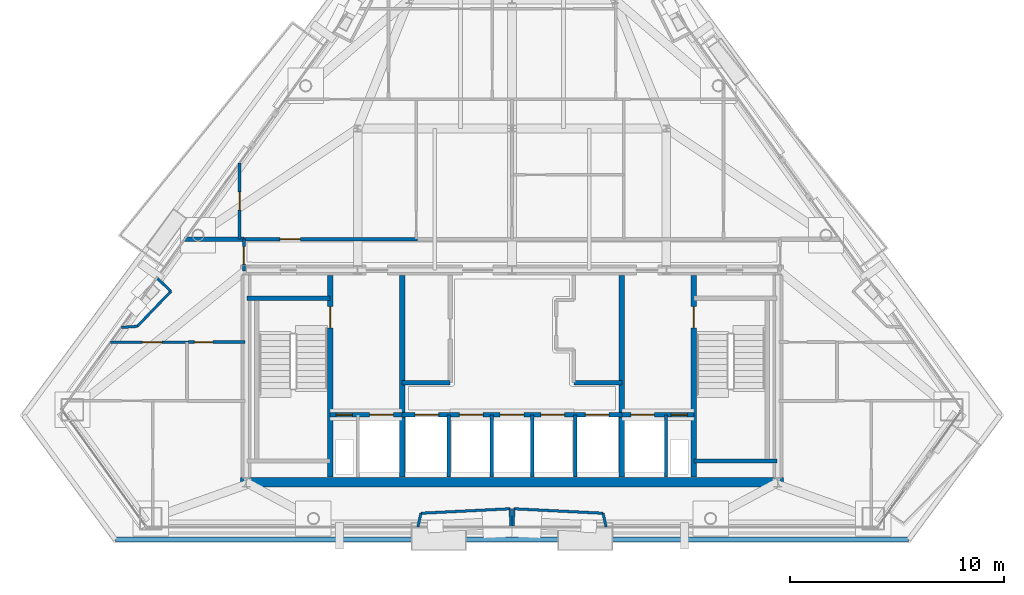
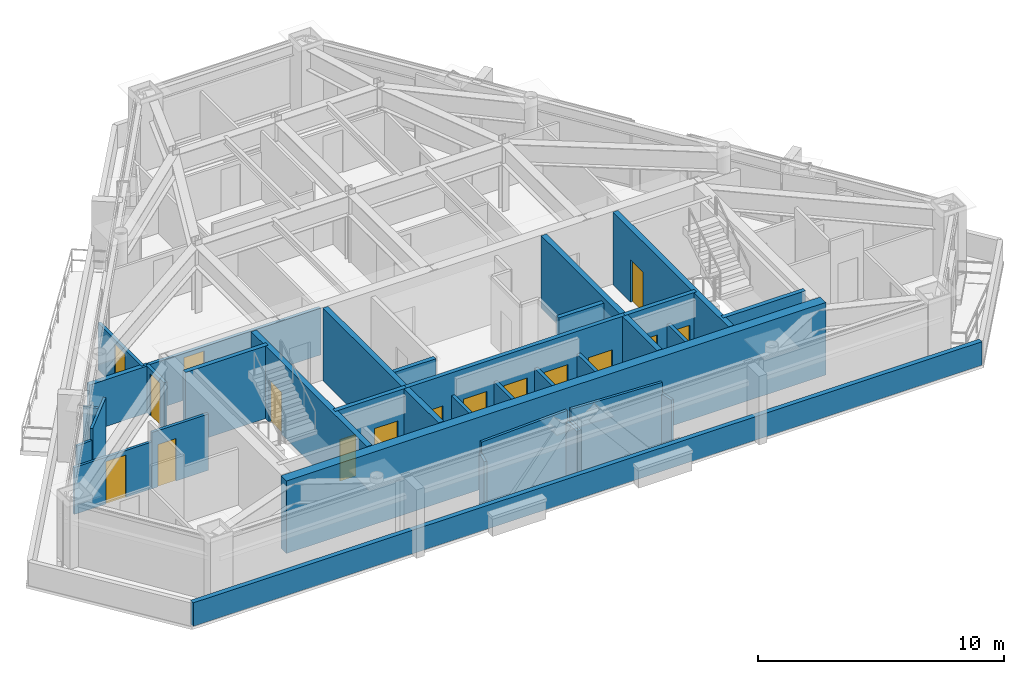
# One storey, part 7 of 11: 33 walls, 16 doors, 16 openings.
"""IFC4 building model written with IfcOpenShell, lengths in metres."""

from ifc_helpers import new_model, si_unit, direction, frame, frame_2d, origin, place, context, subcontext, project, spatial, rectangle, extrude, material, layer, layer_set, type_object, element, fill, save


model = new_model("IFC4")

# Units and contexts
model_context = context("Model", 3, precision=1e-05, world=origin(), true_north=direction((0.0, 1.0)))
body_context = subcontext(model_context, "Body", "Model", "MODEL_VIEW")
ifc_project = project(units=[si_unit("LENGTHUNIT", "METRE"), si_unit("AREAUNIT", "SQUARE_METRE"), si_unit("VOLUMEUNIT", "CUBIC_METRE"), si_unit("PLANEANGLEUNIT", "RADIAN"), si_unit("MASSUNIT", "GRAM", prefix="KILO")], contexts=[model_context])

# Site, building, storey
site_placement = place(None, origin())
site = spatial("IfcSite", under=ifc_project, at=site_placement, CompositionType="ELEMENT")
building_placement = place(site_placement, origin())
building = spatial("IfcBuilding", under=site, at=building_placement, Name="Talgorran Terracotta Tower", CompositionType="ELEMENT")
storey_placement = place(building_placement, frame((0.0, 0.0, 185.699951171875)))
storey = spatial("IfcBuildingStorey", under=building, at=storey_placement, Name="L48", CompositionType="ELEMENT", Elevation=185.699951171875)

# Walls
ifc_material_1 = material(Name="Concrete C50/60", Category="concrete")
ifc_layer_1 = layer(ifc_material_1, 0.199951171875, Name="WT_CORE_200")
ifc_layer_set_1 = layer_set([ifc_layer_1], Name="Concrete C50/60")
wall_type_1 = type_object("IfcWallType", Name="WT_CORE_200", PredefinedType="SOLIDWALL", material=ifc_layer_set_1)
for number, where, z_axis, x_axis, name in (
    (1, (-12.35009765625, -5.52001953125, 0.0), (0.0, 0.0, 1.0), (1.0, 0.0, 0.0), "WL-L48-CW-ST1-N"),
    (2, (8.47998046875, -13.10009765625, 0.0), (0.0, 0.0, 1.0), (1.0, 0.0, 0.0), "WL-L48-CW-ST2-S"),
):
    element("IfcWall", number, at=place(storey_placement, frame(where, z_axis=z_axis, x_axis=x_axis)), inside=storey, type_object=wall_type_1, Name=name, PredefinedType="SOLIDWALL", context=body_context, shape_type="SweptSolid", body=[
        extrude(rectangle(XDim=3.8701171875, YDim=0.199951171875, at=frame_2d((1.93505859375, 0.0))), origin(), (0.0, 0.0, 1.0), 3.60009765625),
    ])

# Wall, openings, doors
wall_1_placement = place(storey_placement, frame((-8.47998046875, -10.949951171875, 0.0), z_axis=(0.0, 0.0, 1.0), x_axis=(1.0, 0.0, 0.0)))
wall_1 = element("IfcWall", 3, at=wall_1_placement, inside=storey, type_object=wall_type_1, Name="WL-L48-CW-H-SBW", PredefinedType="SOLIDWALL", context=body_context, shape_type="SweptSolid", body=[
    extrude(rectangle(XDim=3.35986328125, YDim=0.199951171875, at=frame_2d((1.679931640625, 0.0))), origin(), (0.0, 0.0, 1.0), 3.60009765625),
])
opening_1_placement = place(wall_1_placement, frame((0.280029296875, 0.0, 0.0)))
opening_1 = element("IfcOpeningElement", 4, at=opening_1_placement, cuts=wall_1, Name="Opening DR-RSW", PredefinedType="OPENING", context=body_context, shape_type="SweptSolid", body=[
    extrude(rectangle(XDim=0.756, YDim=2.054048828125, at=frame_2d((0.375, 1.027099609375))), frame((0.0, 0.10986328125, 0.0), z_axis=(0.0, -1.0, 0.0), x_axis=(1.0, 0.0, 0.0)), (0.0, 0.0, 1.0), 0.219970703125),
])
opening_2_placement = place(wall_1_placement, frame((1.85009765625, 0.0, 0.0)))
opening_2 = element("IfcOpeningElement", 5, at=opening_2_placement, cuts=wall_1, Name="Opening LD-FFL1", PredefinedType="OPENING", context=body_context, shape_type="SweptSolid", body=[
    extrude(rectangle(XDim=1.10609765625, YDim=2.10409765625, at=frame_2d((0.550048828125, 1.052001953125))), frame((0.0, 0.10986328125, 0.0), z_axis=(0.0, -1.0, 0.0), x_axis=(1.0, 0.0, 0.0)), (0.0, 0.0, 1.0), 0.219970703125),
])
ifc_material_2 = material(Name="Brushed Stainless Steel Grade 304", Category="steel")
door_type_1 = type_object("IfcDoorType", Name="DT_LIFT_LD1100", OperationType="DOUBLE_DOOR_SLIDING", PredefinedType="DOOR", material=ifc_material_2)
door_1_placement = place(opening_2_placement, origin())
door_1 = element("IfcDoor", 6, at=door_1_placement, inside=storey, type_object=door_type_1, Name="L48 Lift Landing Door LD-FFL1", OperationType="DOUBLE_DOOR_SLIDING", OverallHeight=2.10009765625, OverallWidth=1.10009765625, PredefinedType="DOOR", context=body_context, shape_type="SweptSolid", body=[
    extrude(rectangle(XDim=1.10009765625, YDim=2.10009765625, at=frame_2d((0.550048828125, 1.050048828125))), frame((0.0, 0.02490234375, 0.0), z_axis=(0.0, -1.0, 0.0), x_axis=(1.0, 0.0, 0.0)), (0.0, 0.0, 1.0), 0.050048828125),
])
fill(opening_2, door_1)
ifc_material_3 = material(Name="Fire-Rated Pressed Steel", Category="steel")
door_type_2 = type_object("IfcDoorType", Name="DT_RISER_750", OperationType="NOTDEFINED", PredefinedType="DOOR", material=ifc_material_3)
door_2_placement = place(opening_1_placement, origin())
door_2 = element("IfcDoor", 7, at=door_2_placement, inside=storey, type_object=door_type_2, Name="DR-RSW", OperationType="SINGLE_SWING_LEFT", OverallHeight=2.050048828125, OverallWidth=0.75, PredefinedType="DOOR", context=body_context, shape_type="SweptSolid", body=[
    extrude(rectangle(XDim=0.75, YDim=2.050048828125, at=frame_2d((0.375, 1.02490234375))), frame((0.0, 0.02490234375, 0.0), z_axis=(0.0, -1.0, 0.0), x_axis=(1.0, 0.0, 0.0)), (0.0, 0.0, 1.0), 0.050048828125),
])
fill(opening_1, door_2)

wall_2_placement = place(storey_placement, frame((-5.1201171875, -10.949951171875, 0.0), z_axis=(0.0, 0.0, 1.0), x_axis=(1.0, 0.0, 0.0)))
wall_2 = element("IfcWall", 8, at=wall_2_placement, inside=storey, type_object=wall_type_1, Name="WL-L48-CW-H-SBC", PredefinedType="SOLIDWALL", context=body_context, shape_type="SweptSolid", body=[
    extrude(rectangle(XDim=10.240234375, YDim=0.199951171875, at=frame_2d((5.1201171875, 0.0))), origin(), (0.0, 0.0, 1.0), 3.60009765625),
])
opening_3_placement = place(wall_2_placement, frame((0.60009765625, 0.0, 0.0)))
opening_3 = element("IfcOpeningElement", 9, at=opening_3_placement, cuts=wall_2, Name="Opening LD-OB1", PredefinedType="OPENING", context=body_context, shape_type="SweptSolid", body=[
    extrude(rectangle(XDim=1.10609765625, YDim=2.10409765625, at=frame_2d((0.550048828125, 1.052001953125))), frame((0.0, 0.10986328125, 0.0), z_axis=(0.0, -1.0, 0.0), x_axis=(1.0, 0.0, 0.0)), (0.0, 0.0, 1.0), 0.219970703125),
])
opening_4_placement = place(wall_2_placement, frame((2.669921875, 0.0, 0.0)))
opening_4 = element("IfcOpeningElement", 10, at=opening_4_placement, cuts=wall_2, Name="Opening LD-PLH1", PredefinedType="OPENING", context=body_context, shape_type="SweptSolid", body=[
    extrude(rectangle(XDim=1.10609765625, YDim=2.10409765625, at=frame_2d((0.550048828125, 1.052001953125))), frame((0.0, 0.10986328125, 0.0), z_axis=(0.0, -1.0, 0.0), x_axis=(1.0, 0.0, 0.0)), (0.0, 0.0, 1.0), 0.219970703125),
])
opening_5_placement = place(wall_2_placement, frame((4.570068359375, 0.0, 0.0)))
opening_5 = element("IfcOpeningElement", 11, at=opening_5_placement, cuts=wall_2, Name="Opening LD-PLH2", PredefinedType="OPENING", context=body_context, shape_type="SweptSolid", body=[
    extrude(rectangle(XDim=1.10609765625, YDim=2.10409765625, at=frame_2d((0.550048828125, 1.052001953125))), frame((0.0, 0.10986328125, 0.0), z_axis=(0.0, -1.0, 0.0), x_axis=(1.0, 0.0, 0.0)), (0.0, 0.0, 1.0), 0.219970703125),
])
opening_6_placement = place(wall_2_placement, frame((6.469970703125, 0.0, 0.0)))
opening_6 = element("IfcOpeningElement", 12, at=opening_6_placement, cuts=wall_2, Name="Opening LD-PLH3", PredefinedType="OPENING", context=body_context, shape_type="SweptSolid", body=[
    extrude(rectangle(XDim=1.10609765625, YDim=2.10409765625, at=frame_2d((0.550048828125, 1.052001953125))), frame((0.0, 0.10986328125, 0.0), z_axis=(0.0, -1.0, 0.0), x_axis=(1.0, 0.0, 0.0)), (0.0, 0.0, 1.0), 0.219970703125),
])
opening_7_placement = place(wall_2_placement, frame((8.5400390625, 0.0, 0.0)))
opening_7 = element("IfcOpeningElement", 13, at=opening_7_placement, cuts=wall_2, Name="Opening LD-SVL1", PredefinedType="OPENING", context=body_context, shape_type="SweptSolid", body=[
    extrude(rectangle(XDim=1.10609765625, YDim=2.10409765625, at=frame_2d((0.550048828125, 1.052001953125))), frame((0.0, 0.10986328125, 0.0), z_axis=(0.0, -1.0, 0.0), x_axis=(1.0, 0.0, 0.0)), (0.0, 0.0, 1.0), 0.219970703125),
])
door_3_placement = place(opening_3_placement, origin())
door_3 = element("IfcDoor", 14, at=door_3_placement, inside=storey, type_object=door_type_1, Name="L48 Lift Landing Door LD-OB1", OperationType="DOUBLE_DOOR_SLIDING", OverallHeight=2.10009765625, OverallWidth=1.10009765625, PredefinedType="DOOR", context=body_context, shape_type="SweptSolid", body=[
    extrude(rectangle(XDim=1.10009765625, YDim=2.10009765625, at=frame_2d((0.550048828125, 1.050048828125))), frame((0.0, 0.02490234375, 0.0), z_axis=(0.0, -1.0, 0.0), x_axis=(1.0, 0.0, 0.0)), (0.0, 0.0, 1.0), 0.050048828125),
])
fill(opening_3, door_3)
door_4_placement = place(opening_4_placement, origin())
door_4 = element("IfcDoor", 15, at=door_4_placement, inside=storey, type_object=door_type_1, Name="L48 Lift Landing Door LD-PLH1", OperationType="DOUBLE_DOOR_SLIDING", OverallHeight=2.10009765625, OverallWidth=1.10009765625, PredefinedType="DOOR", context=body_context, shape_type="SweptSolid", body=[
    extrude(rectangle(XDim=1.10009765625, YDim=2.10009765625, at=frame_2d((0.550048828125, 1.050048828125))), frame((0.0, 0.02490234375, 0.0), z_axis=(0.0, -1.0, 0.0), x_axis=(1.0, 0.0, 0.0)), (0.0, 0.0, 1.0), 0.050048828125),
])
fill(opening_4, door_4)
door_5_placement = place(opening_5_placement, origin())
door_5 = element("IfcDoor", 16, at=door_5_placement, inside=storey, type_object=door_type_1, Name="L48 Lift Landing Door LD-PLH2", OperationType="DOUBLE_DOOR_SLIDING", OverallHeight=2.10009765625, OverallWidth=1.10009765625, PredefinedType="DOOR", context=body_context, shape_type="SweptSolid", body=[
    extrude(rectangle(XDim=1.10009765625, YDim=2.10009765625, at=frame_2d((0.550048828125, 1.050048828125))), frame((0.0, 0.02490234375, 0.0), z_axis=(0.0, -1.0, 0.0), x_axis=(1.0, 0.0, 0.0)), (0.0, 0.0, 1.0), 0.050048828125),
])
fill(opening_5, door_5)
door_6_placement = place(opening_6_placement, origin())
door_6 = element("IfcDoor", 17, at=door_6_placement, inside=storey, type_object=door_type_1, Name="L48 Lift Landing Door LD-PLH3", OperationType="DOUBLE_DOOR_SLIDING", OverallHeight=2.10009765625, OverallWidth=1.10009765625, PredefinedType="DOOR", context=body_context, shape_type="SweptSolid", body=[
    extrude(rectangle(XDim=1.10009765625, YDim=2.10009765625, at=frame_2d((0.550048828125, 1.050048828125))), frame((0.0, 0.02490234375, 0.0), z_axis=(0.0, -1.0, 0.0), x_axis=(1.0, 0.0, 0.0)), (0.0, 0.0, 1.0), 0.050048828125),
])
fill(opening_6, door_6)
door_7_placement = place(opening_7_placement, origin())
door_7 = element("IfcDoor", 18, at=door_7_placement, inside=storey, type_object=door_type_1, Name="L48 Lift Landing Door LD-SVL1", OperationType="DOUBLE_DOOR_SLIDING", OverallHeight=2.10009765625, OverallWidth=1.10009765625, PredefinedType="DOOR", context=body_context, shape_type="SweptSolid", body=[
    extrude(rectangle(XDim=1.10009765625, YDim=2.10009765625, at=frame_2d((0.550048828125, 1.050048828125))), frame((0.0, 0.02490234375, 0.0), z_axis=(0.0, -1.0, 0.0), x_axis=(1.0, 0.0, 0.0)), (0.0, 0.0, 1.0), 0.050048828125),
])
fill(opening_7, door_7)

wall_3_placement = place(storey_placement, frame((5.1201171875, -10.949951171875, 0.0), z_axis=(0.0, 0.0, 1.0), x_axis=(1.0, 0.0, 0.0)))
wall_3 = element("IfcWall", 19, at=wall_3_placement, inside=storey, type_object=wall_type_1, Name="WL-L48-CW-H-SBE", PredefinedType="SOLIDWALL", context=body_context, shape_type="SweptSolid", body=[
    extrude(rectangle(XDim=3.35986328125, YDim=0.199951171875, at=frame_2d((1.679931640625, 0.0))), origin(), (0.0, 0.0, 1.0), 3.60009765625),
])
opening_8_placement = place(wall_3_placement, frame((0.419921875, 0.0, 0.0)))
opening_8 = element("IfcOpeningElement", 20, at=opening_8_placement, cuts=wall_3, Name="Opening LD-FFL2", PredefinedType="OPENING", context=body_context, shape_type="SweptSolid", body=[
    extrude(rectangle(XDim=1.10609765625, YDim=2.10409765625, at=frame_2d((0.550048828125, 1.052001953125))), frame((0.0, 0.10986328125, 0.0), z_axis=(0.0, -1.0, 0.0), x_axis=(1.0, 0.0, 0.0)), (0.0, 0.0, 1.0), 0.219970703125),
])
opening_9_placement = place(wall_3_placement, frame((2.300048828125, 0.0, 0.0)))
opening_9 = element("IfcOpeningElement", 21, at=opening_9_placement, cuts=wall_3, Name="Opening DR-RSE", PredefinedType="OPENING", context=body_context, shape_type="SweptSolid", body=[
    extrude(rectangle(XDim=0.756, YDim=2.054048828125, at=frame_2d((0.375, 1.027099609375))), frame((0.0, 0.10986328125, 0.0), z_axis=(0.0, -1.0, 0.0), x_axis=(1.0, 0.0, 0.0)), (0.0, 0.0, 1.0), 0.219970703125),
])
door_8_placement = place(opening_8_placement, origin())
door_8 = element("IfcDoor", 22, at=door_8_placement, inside=storey, type_object=door_type_1, Name="L48 Lift Landing Door LD-FFL2", OperationType="DOUBLE_DOOR_SLIDING", OverallHeight=2.10009765625, OverallWidth=1.10009765625, PredefinedType="DOOR", context=body_context, shape_type="SweptSolid", body=[
    extrude(rectangle(XDim=1.10009765625, YDim=2.10009765625, at=frame_2d((0.550048828125, 1.050048828125))), frame((0.0, 0.02490234375, 0.0), z_axis=(0.0, -1.0, 0.0), x_axis=(1.0, 0.0, 0.0)), (0.0, 0.0, 1.0), 0.050048828125),
])
fill(opening_8, door_8)
door_9_placement = place(opening_9_placement, origin())
door_9 = element("IfcDoor", 23, at=door_9_placement, inside=storey, type_object=door_type_2, Name="DR-RSE", OperationType="SINGLE_SWING_RIGHT", OverallHeight=2.050048828125, OverallWidth=0.75, PredefinedType="DOOR", context=body_context, shape_type="SweptSolid", body=[
    extrude(rectangle(XDim=0.75, YDim=2.050048828125, at=frame_2d((0.375, 1.02490234375))), frame((0.0, 0.02490234375, 0.0), z_axis=(0.0, -1.0, 0.0), x_axis=(1.0, 0.0, 0.0)), (0.0, 0.0, 1.0), 0.050048828125),
])
fill(opening_9, door_9)

# Walls
for number, where, z_axis, x_axis, name in (
    (24, (-5.1201171875, -9.449951171875, 0.0), (0.0, 0.0, 1.0), (1.0, 0.0, 0.0), "WL-L48-CW-H-W4"),
    (25, (2.8798828125, -9.449951171875, 0.0), (0.0, 0.0, 1.0), (1.0, 0.0, 0.0), "WL-L48-CW-H-E4"),
):
    element("IfcWall", number, at=place(storey_placement, frame(where, z_axis=z_axis, x_axis=x_axis)), inside=storey, type_object=wall_type_1, Name=name, PredefinedType="SOLIDWALL", context=body_context, shape_type="SweptSolid", body=[
        extrude(rectangle(XDim=2.240234375, YDim=0.199951171875, at=frame_2d((1.1201171875, 0.0))), origin(), (0.0, 0.0, 1.0), 3.35009765625),
    ])

# Wall, opening, door
ifc_layer_2 = layer(ifc_material_1, 0.25, Name="WT_CORE_250")
ifc_layer_set_2 = layer_set([ifc_layer_2], Name="Concrete C50/60")
wall_type_2 = type_object("IfcWallType", Name="WT_CORE_250", PredefinedType="SHEAR", material=ifc_layer_set_2)
wall_4_placement = place(storey_placement, frame((-8.47998046875, -13.85009765625, 0.0), z_axis=(0.0, 0.0, 1.0), x_axis=(0.0, 1.0, 0.0)))
wall_4 = element("IfcWall", 26, at=wall_4_placement, inside=storey, type_object=wall_type_2, Name="WL-L48-CW-V-W1", PredefinedType="SHEAR", context=body_context, shape_type="SweptSolid", body=[
    extrude(rectangle(XDim=9.400146484375, YDim=0.25, at=frame_2d((4.7001953125, 0.0))), origin(), (0.0, 0.0, 1.0), 3.60009765625),
])
opening_10_placement = place(wall_4_placement, frame((6.949951171875, 0.0, 0.0)))
opening_10 = element("IfcOpeningElement", 27, at=opening_10_placement, cuts=wall_4, Name="Opening DR-ST01", PredefinedType="OPENING", context=body_context, shape_type="SweptSolid", body=[
    extrude(rectangle(XDim=1.006, YDim=2.10409765625, at=frame_2d((0.5, 1.052001953125))), frame((0.0, 0.135009765625, 0.0), z_axis=(0.0, -1.0, 0.0), x_axis=(1.0, 0.0, 0.0)), (0.0, 0.0, 1.0), 0.27001953125),
])
door_type_3 = type_object("IfcDoorType", Name="DT_FIRE_1000", OperationType="NOTDEFINED", PredefinedType="DOOR", material=ifc_material_3)
door_10_placement = place(opening_10_placement, origin())
door_10 = element("IfcDoor", 28, at=door_10_placement, inside=storey, type_object=door_type_3, Name="DR-ST01", OperationType="SINGLE_SWING_LEFT", OverallHeight=2.10009765625, OverallWidth=1.0, PredefinedType="DOOR", context=body_context, shape_type="SweptSolid", body=[
    extrude(rectangle(XDim=1.0, YDim=2.10009765625, at=frame_2d((0.5, 1.050048828125))), frame((0.0, 0.02490234375, 0.0), z_axis=(0.0, -1.0, 0.0), x_axis=(1.0, 0.0, 0.0)), (0.0, 0.0, 1.0), 0.050048828125),
])
fill(opening_10, door_10)

wall_5_placement = place(storey_placement, frame((8.47998046875, -13.85009765625, 0.0), z_axis=(0.0, 0.0, 1.0), x_axis=(0.0, 1.0, 0.0)))
wall_5 = element("IfcWall", 29, at=wall_5_placement, inside=storey, type_object=wall_type_2, Name="WL-L48-CW-V-E1", PredefinedType="SHEAR", context=body_context, shape_type="SweptSolid", body=[
    extrude(rectangle(XDim=9.400146484375, YDim=0.25, at=frame_2d((4.7001953125, 0.0))), origin(), (0.0, 0.0, 1.0), 3.60009765625),
])
opening_11_placement = place(wall_5_placement, frame((6.949951171875, 0.0, 0.0)))
opening_11 = element("IfcOpeningElement", 30, at=opening_11_placement, cuts=wall_5, Name="Opening DR-ST02", PredefinedType="OPENING", context=body_context, shape_type="SweptSolid", body=[
    extrude(rectangle(XDim=1.006, YDim=2.10409765625, at=frame_2d((0.5, 1.052001953125))), frame((0.0, 0.135009765625, 0.0), z_axis=(0.0, -1.0, 0.0), x_axis=(1.0, 0.0, 0.0)), (0.0, 0.0, 1.0), 0.27001953125),
])
door_11_placement = place(opening_11_placement, origin())
door_11 = element("IfcDoor", 31, at=door_11_placement, inside=storey, type_object=door_type_3, Name="DR-ST02", OperationType="SINGLE_SWING_RIGHT", OverallHeight=2.10009765625, OverallWidth=1.0, PredefinedType="DOOR", context=body_context, shape_type="SweptSolid", body=[
    extrude(rectangle(XDim=1.0, YDim=2.10009765625, at=frame_2d((0.5, 1.050048828125))), frame((0.0, 0.02490234375, 0.0), z_axis=(0.0, -1.0, 0.0), x_axis=(1.0, 0.0, 0.0)), (0.0, 0.0, 1.0), 0.050048828125),
])
fill(opening_11, door_11)

# Walls
for number, where, z_axis, x_axis, name in (
    (32, (-5.1201171875, -13.85009765625, 0.0), (0.0, 0.0, 1.0), (0.0, 1.0, 0.0), "WL-L48-CW-V-W2"),
    (33, (5.1201171875, -13.85009765625, 0.0), (0.0, 0.0, 1.0), (0.0, 1.0, 0.0), "WL-L48-CW-V-E2"),
):
    element("IfcWall", number, at=place(storey_placement, frame(where, z_axis=z_axis, x_axis=x_axis)), inside=storey, type_object=wall_type_2, Name=name, PredefinedType="SHEAR", context=body_context, shape_type="SweptSolid", body=[
        extrude(rectangle(XDim=9.400146484375, YDim=0.25, at=frame_2d((4.7001953125, 0.0))), origin(), (0.0, 0.0, 1.0), 3.60009765625),
    ])
ifc_material_4 = material(Name="Concrete C65/80", Category="concrete")
ifc_layer_3 = layer(ifc_material_4, 0.449951171875, Name="WT_CORE_EXT")
ifc_layer_set_3 = layer_set([ifc_layer_3], Name="Concrete C65/80")
wall_type_3 = type_object("IfcWallType", Name="WT_CORE_EXT", PredefinedType="SHEAR", material=ifc_layer_set_3)
wall_6_placement = place(storey_placement, frame((-12.64990234375, -14.10009765625, 0.0), z_axis=(0.0, 0.0, 1.0), x_axis=(1.0, 0.0, 0.0)))
element("IfcWall", 34, at=wall_6_placement, inside=storey, type_object=wall_type_3, Name="WL-L48-CW-OUT-S", PredefinedType="SHEAR", context=body_context, shape_type="SweptSolid", body=[
    extrude(rectangle(XDim=25.2998046875, YDim=0.449951171875, at=frame_2d((12.64990234375, 0.0))), origin(), (0.0, 0.0, 1.0), 3.60009765625),
])

# Wall, opening, door
ifc_material_5 = material(Name="Fire-Rated Steel Stud Plasterboard", Category="steel")
ifc_layer_4 = layer(ifc_material_5, 0.14990234375, Name="WT_FIRE_150")
ifc_layer_set_4 = layer_set([ifc_layer_4], Name="Fire-Rated Steel Stud Plasterboard")
wall_type_4 = type_object("IfcWallType", Name="WT_FIRE_150", PredefinedType="PARTITIONING", material=ifc_layer_set_4)
wall_7_placement = place(storey_placement, frame((-12.5, -2.760009765625, 0.0), z_axis=(0.0, 0.0, 1.0), x_axis=(1.0, 0.0, 0.0)))
wall_7 = element("IfcWall", 35, at=wall_7_placement, inside=storey, type_object=wall_type_4, Name="WL-L48-W-L48-R03", PredefinedType="PARTITIONING", context=body_context, shape_type="SweptSolid", body=[
    extrude(rectangle(XDim=8.10009765625, YDim=0.14990234375, at=frame_2d((4.050048828125, 0.0))), origin(), (0.0, 0.0, 1.0), 2.324951171875),
])
opening_12_placement = place(wall_7_placement, frame((1.677734375, 0.0, 0.0)))
opening_12 = element("IfcOpeningElement", 36, at=opening_12_placement, cuts=wall_7, Name="Opening DR-L48-R12", PredefinedType="OPENING", context=body_context, shape_type="SweptSolid", body=[
    extrude(rectangle(XDim=0.955951171875, YDim=2.10409765625, at=frame_2d((0.47509765625, 1.052001953125))), frame((0.0, 0.0849609375, 0.0), z_axis=(0.0, -1.0, 0.0), x_axis=(1.0, 0.0, 0.0)), (0.0, 0.0, 1.0), 0.169921875),
])
ifc_material_6 = material(Name="Fire-Rated Timber Core", Category="wood")
door_type_4 = type_object("IfcDoorType", Name="DT_FIRE_950", OperationType="NOTDEFINED", PredefinedType="DOOR", material=ifc_material_6)
door_12_placement = place(opening_12_placement, origin())
door_12 = element("IfcDoor", 37, at=door_12_placement, inside=storey, type_object=door_type_4, Name="DR-L48-R12", OperationType="SINGLE_SWING_RIGHT", OverallHeight=2.10009765625, OverallWidth=0.949951171875, PredefinedType="DOOR", context=body_context, shape_type="SweptSolid", body=[
    extrude(rectangle(XDim=0.949951171875, YDim=2.10009765625, at=frame_2d((0.47509765625, 1.050048828125))), frame((0.0, 0.02490234375, 0.0), z_axis=(0.0, -1.0, 0.0), x_axis=(1.0, 0.0, 0.0)), (0.0, 0.0, 1.0), 0.050048828125),
])
fill(opening_12, door_12)

wall_8_placement = place(storey_placement, frame((-12.5, -4.239990234375, 0.0), z_axis=(0.0, 0.0, 1.0), x_axis=(0.0, 1.0, 0.0)))
wall_8 = element("IfcWall", 38, at=wall_8_placement, inside=storey, type_object=wall_type_4, Name="WL-L48-W-L48-R01", PredefinedType="PARTITIONING", context=body_context, shape_type="SweptSolid", body=[
    extrude(rectangle(XDim=1.47998046875, YDim=0.14990234375, at=frame_2d((0.739990234375, 0.0))), origin(), (0.0, 0.0, 1.0), 2.324951171875),
])
opening_13_placement = place(wall_8_placement, frame((0.31494140625, 0.0, 0.0)))
opening_13 = element("IfcOpeningElement", 39, at=opening_13_placement, cuts=wall_8, Name="Opening DR-L48-R01", PredefinedType="OPENING", context=body_context, shape_type="SweptSolid", body=[
    extrude(rectangle(XDim=0.826068359375, YDim=2.10409765625, at=frame_2d((0.41015625, 1.052001953125))), frame((0.0, 0.0849609375, 0.0), z_axis=(0.0, -1.0, 0.0), x_axis=(1.0, 0.0, 0.0)), (0.0, 0.0, 1.0), 0.169921875),
])
ifc_material_7 = material(Name="Moisture-Resistant Solid Timber", Category="wood")
door_type_5 = type_object("IfcDoorType", Name="DT_INT_820", OperationType="NOTDEFINED", PredefinedType="DOOR", material=ifc_material_7)
door_13_placement = place(opening_13_placement, origin())
door_13 = element("IfcDoor", 40, at=door_13_placement, inside=storey, type_object=door_type_5, Name="DR-L48-R01", OperationType="SINGLE_SWING_LEFT", OverallHeight=2.10009765625, OverallWidth=0.820068359375, PredefinedType="DOOR", context=body_context, shape_type="SweptSolid", body=[
    extrude(rectangle(XDim=0.820068359375, YDim=2.10009765625, at=frame_2d((0.41015625, 1.050048828125))), frame((0.0, 0.02490234375, 0.0), z_axis=(0.0, -1.0, 0.0), x_axis=(1.0, 0.0, 0.0)), (0.0, 0.0, 1.0), 0.050048828125),
])
fill(opening_13, door_13)

# Walls
ifc_material_8 = material(Name="Concrete C40/50", Category="concrete")
ifc_layer_5 = layer(ifc_material_8, 0.219970703125, Name="WT_PARAPET_RC")
ifc_layer_set_5 = layer_set([ifc_layer_5], Name="Concrete C40/50")
wall_type_5 = type_object("IfcWallType", Name="WT_PARAPET_RC", PredefinedType="PARAPET", material=ifc_layer_set_5)
wall_9_placement = place(storey_placement, frame((-18.49267578125, -16.765625, -0.02001953125), z_axis=(0.0, 0.0, 1.0), x_axis=(1.0, 0.0, 0.0)))
element("IfcWall", 41, at=wall_9_placement, inside=storey, type_object=wall_type_5, Name="WL-L48-PARAPET-2", PredefinedType="PARAPET", context=body_context, shape_type="SweptSolid", body=[
    extrude(rectangle(XDim=36.9853515625, YDim=0.219970703125, at=frame_2d((18.49267578125, 0.0))), origin(), (0.0, 0.0, 1.0), 1.170166015625),
])
ifc_material_9 = material(Name="Acoustic Masonry and Plasterboard", Category="masonry")
ifc_layer_6 = layer(ifc_material_9, 0.219970703125, Name="WT_PARTY_220")
ifc_layer_set_6 = layer_set([ifc_layer_6], Name="Acoustic Masonry and Plasterboard")
wall_type_6 = type_object("IfcWallType", Name="WT_PARTY_220", PredefinedType="PARTITIONING", material=ifc_layer_set_6)
wall_10_placement = place(storey_placement, frame((-15.263427734375, -2.760009765625, 0.0), z_axis=(0.0, 0.0, 1.0), x_axis=(1.0, 0.0, 0.0)))
element("IfcWall", 42, at=wall_10_placement, inside=storey, type_object=wall_type_6, Name="WL-L48-W-L48-R10", PredefinedType="PARTITIONING", context=body_context, shape_type="SweptSolid", body=[
    extrude(rectangle(XDim=2.763427734375, YDim=0.219970703125, at=frame_2d((1.3818359375, 0.0))), origin(), (0.0, 0.0, 1.0), 2.324951171875),
])
ifc_material_10 = material(Name="Insulated Steel Stud Plasterboard", Category="steel")
ifc_layer_7 = layer(ifc_material_10, 0.1201171875, Name="WT_PART_120")
ifc_layer_set_7 = layer_set([ifc_layer_7], Name="Insulated Steel Stud Plasterboard")
wall_type_7 = type_object("IfcWallType", Name="WT_PART_120", PredefinedType="PARTITIONING", material=ifc_layer_set_7)
for number, where, z_axis, x_axis, name in (
    (43, (-4.24560546875, -15.53857421875, 0.0), (0.0, 0.0, 1.0), (0.998742375278, 0.050136491948, 0.0), "WL-L48-BW-L48-01"),
    (44, (0.08740234375, -15.329833984375, 0.0), (0.0, 0.0, 1.0), (0.998742375278, -0.050136491948, 0.0), "WL-L48-BW-L48-05"),
):
    element("IfcWall", number, at=place(storey_placement, frame(where, z_axis=z_axis, x_axis=x_axis)), inside=storey, type_object=wall_type_7, Name=name, PredefinedType="PARTITIONING", context=body_context, shape_type="SweptSolid", body=[
        extrude(rectangle(XDim=4.163330078125, YDim=0.1201171875, at=frame_2d((2.08154296875, 0.0))), origin(), (0.0, 0.0, 1.0), 3.35009765625),
    ])

# Wall, opening, door
wall_11_placement = place(storey_placement, frame((-18.72021484375, -7.56005859375, 0.0), z_axis=(0.0, 0.0, 1.0), x_axis=(1.0, 0.0, 0.0)))
wall_11 = element("IfcWall", 45, at=wall_11_placement, inside=storey, type_object=wall_type_7, Name="WL-L48-W-L48-R09", PredefinedType="PARTITIONING", context=body_context, shape_type="SweptSolid", body=[
    extrude(rectangle(XDim=3.64013671875, YDim=0.1201171875, at=frame_2d((1.820068359375, 0.0))), origin(), (0.0, 0.0, 1.0), 2.324951171875),
])
opening_14_placement = place(wall_11_placement, frame((1.489013671875, 0.0, 0.0)))
opening_14 = element("IfcOpeningElement", 46, at=opening_14_placement, cuts=wall_11, Name="Opening DR-L48-R03", PredefinedType="OPENING", context=body_context, shape_type="SweptSolid", body=[
    extrude(rectangle(XDim=0.925921875, YDim=2.10409765625, at=frame_2d((0.4599609375, 1.052001953125))), frame((0.0, 0.070068359375, 0.0), z_axis=(0.0, -1.0, 0.0), x_axis=(1.0, 0.0, 0.0)), (0.0, 0.0, 1.0), 0.14013671875),
])
ifc_material_11 = material(Name="Solid-Core Painted Timber", Category="wood")
door_type_6 = type_object("IfcDoorType", Name="DT_INT_920", OperationType="NOTDEFINED", PredefinedType="DOOR", material=ifc_material_11)
door_14_placement = place(opening_14_placement, origin())
door_14 = element("IfcDoor", 47, at=door_14_placement, inside=storey, type_object=door_type_6, Name="DR-L48-R03", OperationType="SINGLE_SWING_LEFT", OverallHeight=2.10009765625, OverallWidth=0.919921875, PredefinedType="DOOR", context=body_context, shape_type="SweptSolid", body=[
    extrude(rectangle(XDim=0.919921875, YDim=2.10009765625, at=frame_2d((0.4599609375, 1.050048828125))), frame((0.0, 0.02490234375, 0.0), z_axis=(0.0, -1.0, 0.0), x_axis=(1.0, 0.0, 0.0)), (0.0, 0.0, 1.0), 0.050048828125),
])
fill(opening_14, door_14)

# Walls
wall_12_placement = place(storey_placement, frame((-15.9033203125, -5.1923828125, 0.0), z_axis=(0.0, 0.0, 1.0), x_axis=(-0.692938318289, -0.720996870345, 0.0)))
element("IfcWall", 48, at=wall_12_placement, inside=storey, type_object=wall_type_7, Name="WL-L48-BW-L48-08", PredefinedType="PARTITIONING", context=body_context, shape_type="SweptSolid", body=[
    extrude(rectangle(XDim=2.26220703125, YDim=0.1201171875, at=frame_2d((1.131103515625, 0.0))), origin(), (0.0, 0.0, 1.0), 3.35009765625),
])
wall_13_placement = place(storey_placement, frame((-16.552978515625, -4.56787109375, 0.0), z_axis=(0.0, 0.0, 1.0), x_axis=(0.72092156137, -0.693016668164, 0.0)))
element("IfcWall", 49, at=wall_13_placement, inside=storey, type_object=wall_type_7, Name="WL-L48-BW-L48-07", PredefinedType="PARTITIONING", context=body_context, shape_type="SweptSolid", body=[
    extrude(rectangle(XDim=0.901123046875, YDim=0.1201171875, at=frame_2d((0.45068359375, 0.0))), origin(), (0.0, 0.0, 1.0), 2.7919921875),
])
for number, where, z_axis, x_axis, name in (
    (50, (-0.08740234375, -15.329833984375, 0.0), (0.0, 0.0, 1.0), (0.050167696492, -0.998740808332, 0.0), "WL-L48-BW-L48-02"),
    (51, (0.044921875, -16.175537109375, 0.0), (0.0, 0.0, 1.0), (0.050167696492, 0.998740808332, 0.0), "WL-L48-BW-L48-04"),
):
    element("IfcWall", number, at=place(storey_placement, frame(where, z_axis=z_axis, x_axis=x_axis)), inside=storey, type_object=wall_type_7, Name=name, PredefinedType="PARTITIONING", context=body_context, shape_type="SweptSolid", body=[
        extrude(rectangle(XDim=0.8466796875, YDim=0.1201171875, at=frame_2d((0.42333984375, 0.0))), origin(), (0.0, 0.0, 1.0), 2.7919921875),
    ])
wall_14_placement = place(storey_placement, frame((-17.470947265625, -6.823486328125, 0.0), z_axis=(0.0, 0.0, 1.0), x_axis=(-0.997799657242, -0.066301161435, 0.0)))
element("IfcWall", 52, at=wall_14_placement, inside=storey, type_object=wall_type_7, Name="WL-L48-BW-L48-09", PredefinedType="PARTITIONING", context=body_context, shape_type="SweptSolid", body=[
    extrude(rectangle(XDim=0.743896484375, YDim=0.1201171875, at=frame_2d((0.3720703125, 0.0))), origin(), (0.0, 0.0, 1.0), 2.7919921875),
])
for number, where, z_axis, x_axis, name in (
    (53, (-4.3876953125, -16.175537109375, 0.0), (0.0, 0.0, 1.0), (0.217722584998, 0.976010694604, 0.0), "WL-L48-BW-L48-03"),
    (54, (4.24560546875, -15.53857421875, 0.0), (0.0, 0.0, 1.0), (0.217722584998, -0.976010694604, 0.0), "WL-L48-BW-L48-06"),
):
    element("IfcWall", number, at=place(storey_placement, frame(where, z_axis=z_axis, x_axis=x_axis)), inside=storey, type_object=wall_type_7, Name=name, PredefinedType="PARTITIONING", context=body_context, shape_type="SweptSolid", body=[
        extrude(rectangle(XDim=0.652587890625, YDim=0.1201171875, at=frame_2d((0.326171875, 0.0))), origin(), (0.0, 0.0, 1.0), 2.7919921875),
    ])

# Wall, opening, door
ifc_material_12 = material(Name="Moisture-Resistant Stud Wall")
ifc_layer_8 = layer(ifc_material_12, 0.135009765625, Name="WT_PART_135")
ifc_layer_set_8 = layer_set([ifc_layer_8], Name="Moisture-Resistant Stud Wall")
wall_type_8 = type_object("IfcWallType", Name="WT_PART_135", PredefinedType="PARTITIONING", material=ifc_layer_set_8)
wall_15_placement = place(storey_placement, frame((-12.699951171875, -2.760009765625, 0.0), z_axis=(0.0, 0.0, 1.0), x_axis=(0.0, 1.0, 0.0)))
wall_15 = element("IfcWall", 55, at=wall_15_placement, inside=storey, type_object=wall_type_8, Name="WL-L48-W-L48-R25", PredefinedType="PARTITIONING", context=body_context, shape_type="SweptSolid", body=[
    extrude(rectangle(XDim=3.559326171875, YDim=0.135009765625, at=frame_2d((1.77978515625, 0.0))), origin(), (0.0, 0.0, 1.0), 2.324951171875),
])
opening_15_placement = place(wall_15_placement, frame((1.353271484375, 0.0, 0.0)))
opening_15 = element("IfcOpeningElement", 56, at=opening_15_placement, cuts=wall_15, Name="Opening DR-L48-R11", PredefinedType="OPENING", context=body_context, shape_type="SweptSolid", body=[
    extrude(rectangle(XDim=0.85609765625, YDim=2.10409765625, at=frame_2d((0.425048828125, 1.052001953125))), frame((0.0, 0.07763671875, 0.0), z_axis=(0.0, -1.0, 0.0), x_axis=(1.0, 0.0, 0.0)), (0.0, 0.0, 1.0), 0.155029296875),
])
door_type_7 = type_object("IfcDoorType", Name="DT_INT_850", OperationType="NOTDEFINED", PredefinedType="DOOR", material=ifc_material_7)
door_15_placement = place(opening_15_placement, origin())
door_15 = element("IfcDoor", 57, at=door_15_placement, inside=storey, type_object=door_type_7, Name="DR-L48-R11", OperationType="SINGLE_SWING_LEFT", OverallHeight=2.10009765625, OverallWidth=0.85009765625, PredefinedType="DOOR", context=body_context, shape_type="SweptSolid", body=[
    extrude(rectangle(XDim=0.85009765625, YDim=2.10009765625, at=frame_2d((0.425048828125, 1.050048828125))), frame((0.0, 0.02490234375, 0.0), z_axis=(0.0, -1.0, 0.0), x_axis=(1.0, 0.0, 0.0)), (0.0, 0.0, 1.0), 0.050048828125),
])
fill(opening_15, door_15)

wall_16_placement = place(storey_placement, frame((-15.077880859375, -7.56005859375, 0.0), z_axis=(0.0, 0.0, 1.0), x_axis=(1.0, 0.0, 0.0)))
wall_16 = element("IfcWall", 58, at=wall_16_placement, inside=storey, type_object=wall_type_8, Name="WL-L48-W-L48-R08", PredefinedType="PARTITIONING", context=body_context, shape_type="SweptSolid", body=[
    extrude(rectangle(XDim=2.637939453125, YDim=0.135009765625, at=frame_2d((1.31884765625, 0.0))), origin(), (0.0, 0.0, 1.0), 2.7919921875),
])
opening_16_placement = place(wall_16_placement, frame((0.272216796875, 0.0, 0.0)))
opening_16 = element("IfcOpeningElement", 59, at=opening_16_placement, cuts=wall_16, Name="Opening DR-L48-R02", PredefinedType="OPENING", context=body_context, shape_type="SweptSolid", body=[
    extrude(rectangle(XDim=0.85609765625, YDim=2.10409765625, at=frame_2d((0.425048828125, 1.052001953125))), frame((0.0, 0.07763671875, 0.0), z_axis=(0.0, -1.0, 0.0), x_axis=(1.0, 0.0, 0.0)), (0.0, 0.0, 1.0), 0.155029296875),
])
door_16_placement = place(opening_16_placement, origin())
door_16 = element("IfcDoor", 60, at=door_16_placement, inside=storey, type_object=door_type_7, Name="DR-L48-R02", OperationType="SINGLE_SWING_RIGHT", OverallHeight=2.10009765625, OverallWidth=0.85009765625, PredefinedType="DOOR", context=body_context, shape_type="SweptSolid", body=[
    extrude(rectangle(XDim=0.85009765625, YDim=2.10009765625, at=frame_2d((0.425048828125, 1.050048828125))), frame((0.0, 0.02490234375, 0.0), z_axis=(0.0, -1.0, 0.0), x_axis=(1.0, 0.0, 0.0)), (0.0, 0.0, 1.0), 0.050048828125),
])
fill(opening_16, door_16)

# Walls
ifc_material_13 = material(Name="Fire-Rated Shaftwall")
ifc_layer_9 = layer(ifc_material_13, 0.159912109375, Name="WT_PART_150")
ifc_layer_set_9 = layer_set([ifc_layer_9], Name="Fire-Rated Shaftwall")
wall_type_9 = type_object("IfcWallType", Name="WT_PART_150", PredefinedType="PARTITIONING", material=ifc_layer_set_9)
for number, where, z_axis, x_axis, name in (
    (61, (7.179931640625, -13.85009765625, 0.0), (0.0, 0.0, 1.0), (0.0, 1.0, 0.0), "WL-L48-CW-RSE"),
    (62, (-2.949951171875, -13.85009765625, 0.0), (0.0, 0.0, 1.0), (0.0, 1.0, 0.0), "WL-L48-CW-OB-E"),
    (63, (2.949951171875, -13.85009765625, 0.0), (0.0, 0.0, 1.0), (0.0, 1.0, 0.0), "WL-L48-CW-SV-W"),
    (64, (-0.949951171875, -13.85009765625, 0.0), (0.0, 0.0, 1.0), (0.0, 1.0, 0.0), "WL-L48-CW-PLH-D1"),
    (65, (0.949951171875, -13.85009765625, 0.0), (0.0, 0.0, 1.0), (0.0, 1.0, 0.0), "WL-L48-CW-PLH-D2"),
):
    element("IfcWall", number, at=place(storey_placement, frame(where, z_axis=z_axis, x_axis=x_axis)), inside=storey, type_object=wall_type_9, Name=name, PredefinedType="PARTITIONING", context=body_context, shape_type="SweptSolid", body=[
        extrude(rectangle(XDim=2.900146484375, YDim=0.159912109375, at=frame_2d((1.4501953125, 0.0))), origin(), (0.0, 0.0, 1.0), 2.47509765625),
    ])

save(model, "model.ifc")
